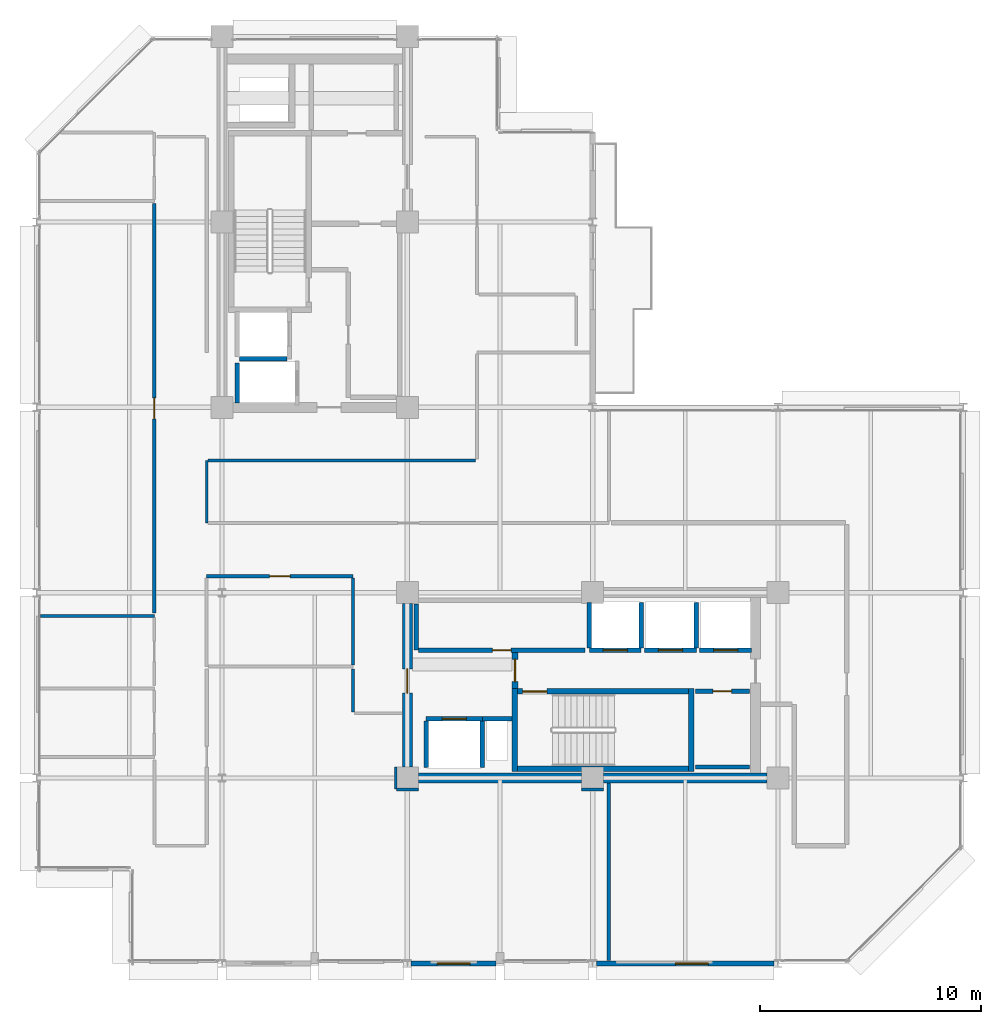
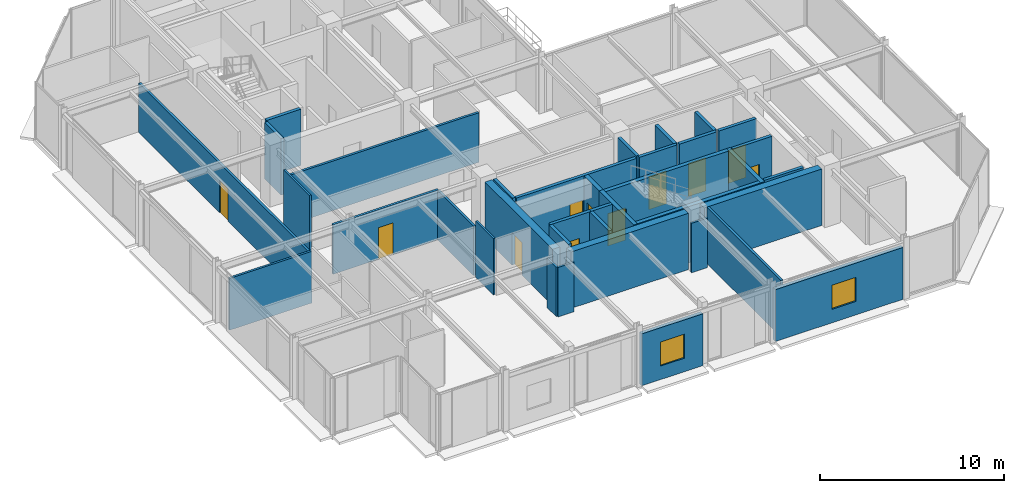
# One storey, part 20 of 26: 37 walls, 11 doors, 2 windows, 13 openings.
"""IFC4 building model written with IfcOpenShell, lengths in metres."""

import ifcopenshell
import ifcopenshell.guid

model = None  # the IFC model being written
_history = None  # IfcOwnerHistory: only IFC2X3 demands one
_inside = {}  # id of a spatial element -> (the spatial element, [elements in it])
_under = {}  # id of a project, library or spatial element -> (it, [spatial elements below it])
_declared = {}  # id of a project -> (the project, [libraries it declares])
_typed = {}  # id of a type object -> (the type object, [elements of that type])
_made_of = {}  # id of a material, layer set ... -> (it, [elements and type objects made of it])


def new_model(schema):
    """Start an empty IFC model of exactly this schema.

    Asked for "IFC4X3", IfcOpenShell would pick the latest addendum, in which some entities
    have other attributes; the version numbers below select the first issue.
    IFC2X3 requires an IfcOwnerHistory on every rooted entity: one is made here for all.
    """
    global model, _history
    if schema == "IFC4X3":
        model = ifcopenshell.file(schema_version=(4, 3, 0, 0))
    else:
        model = ifcopenshell.file(schema=schema)
    _inside.clear()
    _under.clear()
    _declared.clear()
    _typed.clear()
    _made_of.clear()
    _history = None
    if model.schema == "IFC2X3":
        org = make("IfcOrganization", Name="unknown")
        user = make(
            "IfcPersonAndOrganization",
            ThePerson=make("IfcPerson", FamilyName="unknown"),
            TheOrganization=org,
        )
        app = make(
            "IfcApplication",
            ApplicationDeveloper=org,
            Version="unknown",
            ApplicationFullName="unknown",
            ApplicationIdentifier="unknown",
        )
        _history = make(
            "IfcOwnerHistory",
            OwningUser=user,
            OwningApplication=app,
            ChangeAction="ADDED",
            CreationDate=0,
        )
    return model


def make(cls, **values):
    """One entity of the class cls with the attributes given. An attribute that is None is left unset."""
    return model.create_entity(
        cls, **{name: value for name, value in values.items() if value is not None}
    )


def rooted(cls, **values):
    """An entity with a GlobalId (a new one), such as an element, a storey or a relation."""
    return make(cls, GlobalId=ifcopenshell.guid.new(), OwnerHistory=_history, **values)


def si_unit(unit_type, name, prefix=None):
    """IfcSIUnit, for example si_unit("LENGTHUNIT", "METRE", prefix="MILLI")."""
    return make("IfcSIUnit", UnitType=unit_type, Prefix=prefix, Name=name)


def assignment(units):
    """IfcUnitAssignment: the units of a project."""
    return None if units is None else make("IfcUnitAssignment", Units=units)


def point(xyz):
    """IfcCartesianPoint."""
    return None if xyz is None else make("IfcCartesianPoint", Coordinates=xyz)


def direction(xyz):
    """IfcDirection."""
    return None if xyz is None else make("IfcDirection", DirectionRatios=xyz)


def frame(location, z_axis=None, x_axis=None):
    """IfcAxis2Placement3D, a coordinate frame: its origin and axes. An axis left out is left unset."""
    return make(
        "IfcAxis2Placement3D",
        Location=point(location),
        Axis=direction(z_axis),
        RefDirection=direction(x_axis),
    )


def frame_2d(location, x_axis=None):
    """IfcAxis2Placement2D, a coordinate frame in the plane: its origin and x axis."""
    return make(
        "IfcAxis2Placement2D", Location=point(location), RefDirection=direction(x_axis)
    )


def origin():
    """The frame at (0, 0, 0) with its axes left unset."""
    return frame((0.0, 0.0, 0.0))


def place(relative_to, where):
    """IfcLocalPlacement: puts the frame where relative to a parent placement (None: the world)."""
    return make(
        "IfcLocalPlacement", PlacementRelTo=relative_to, RelativePlacement=where
    )


def context(
    kind, dimensions, precision=None, world=None, true_north=None, identifier=None
):
    """IfcGeometricRepresentationContext, for example the 3D "Model" context."""
    return make(
        "IfcGeometricRepresentationContext",
        ContextIdentifier=identifier,
        ContextType=kind,
        CoordinateSpaceDimension=dimensions,
        Precision=precision,
        WorldCoordinateSystem=world,
        TrueNorth=true_north,
    )


def subcontext(parent, identifier, kind, view, scale=None):
    """IfcGeometricRepresentationSubContext, for example "Body" below "Model"."""
    return make(
        "IfcGeometricRepresentationSubContext",
        ContextIdentifier=identifier,
        ContextType=kind,
        ParentContext=parent,
        TargetScale=scale,
        TargetView=view,
    )


def project(units=None, contexts=None):
    """IfcProject with its units and contexts."""
    return rooted(
        "IfcProject",
        Name="project",
        RepresentationContexts=contexts,
        UnitsInContext=assignment(units),
    )


def spatial(cls, under=None, at=None, **own):
    """A site, building, storey or space (cls), placed at a placement, below another one or the project."""
    s = rooted(cls, ObjectPlacement=at, **own)
    if under is not None:
        _under.setdefault(under.id(), (under, []))[1].append(s)
    return s


def profile(cls, at=None, kind="AREA", **sizes):
    """A parametric profile (cls). Its sizes go by their IFC names, for example OverallWidth=200.0."""
    return make(cls, ProfileType=kind, Position=at, **sizes)


def rectangle(**sizes):
    """IfcRectangleProfileDef."""
    return profile("IfcRectangleProfileDef", **sizes)


def extrude(swept, where, along, depth):
    """IfcExtrudedAreaSolid: the profile swept, set in the frame where, extruded along a direction by depth."""
    return make(
        "IfcExtrudedAreaSolid",
        SweptArea=swept,
        Position=where,
        ExtrudedDirection=direction(along),
        Depth=depth,
    )


def shape(context_of_items, identifier, shape_type, items):
    """IfcShapeRepresentation: the items that make up one representation, for example the "Body"."""
    return make(
        "IfcShapeRepresentation",
        ContextOfItems=context_of_items,
        RepresentationIdentifier=identifier,
        RepresentationType=shape_type,
        Items=items,
    )


def material(Name=None, Category=None):
    """IfcMaterial."""
    return make("IfcMaterial", Name=Name, Category=Category)


def layer(
    of_material, thickness, ventilated=None, Name=None, Category=None, Priority=None
):
    """IfcMaterialLayer: one layer of a wall or slab, of a material (None: an air gap)."""
    return make(
        "IfcMaterialLayer",
        Material=of_material,
        LayerThickness=thickness,
        IsVentilated=ventilated,
        Name=Name,
        Category=Category,
        Priority=Priority,
    )


def layer_set(layers, Name=None):
    """IfcMaterialLayerSet."""
    return make("IfcMaterialLayerSet", MaterialLayers=layers, LayerSetName=Name)


def made_of(thing, what):
    """Note that an element or type object is made of a material, layer set ...; save() writes the relation."""
    if what is not None:
        _made_of.setdefault(what.id(), (what, []))[1].append(thing)
    return thing


def type_object(cls, material=None, **own):
    """A type object (cls), such as IfcWallType, which elements share."""
    return made_of(rooted(cls, **own), material)


def element(
    cls,
    number,
    at=None,
    inside=None,
    cuts=None,
    type_object=None,
    material=None,
    context=None,
    identifier="Body",
    shape_type=None,
    held_by="IfcProductDefinitionShape",
    body=None,
    shapes=None,
    **own,
):
    """One element of the class cls, such as IfcWall. Its Tag is "e" and its number.

    at: its placement. inside: the storey or other place that contains it. cuts: it is an
    opening in that element (IfcRelVoidsElement). A single representation is given by context,
    identifier, shape_type and body (its items); several are given by shapes. held_by: the class
    of the entity that holds the representations. save() writes the other relations.
    """
    e = rooted(cls, Tag="e%d" % number, ObjectPlacement=at, **own)
    if body is not None:
        shapes = [shape(context, identifier, shape_type, body)]
    if shapes is not None:
        e.Representation = make(held_by, Representations=shapes)
    if inside is not None:
        _inside.setdefault(inside.id(), (inside, []))[1].append(e)
    if cuts is not None:
        rooted(
            "IfcRelVoidsElement", RelatingBuildingElement=cuts, RelatedOpeningElement=e
        )
    if type_object is not None:
        _typed.setdefault(type_object.id(), (type_object, []))[1].append(e)
    return made_of(e, material)


def fill(opening, filler):
    """IfcRelFillsElement: the door or window that sits in an opening."""
    return rooted(
        "IfcRelFillsElement",
        RelatingOpeningElement=opening,
        RelatedBuildingElement=filler,
    )


def aggregate(whole, parts):
    """IfcRelAggregates: a whole, such as a stair, and the parts it consists of."""
    return rooted("IfcRelAggregates", RelatingObject=whole, RelatedObjects=parts)


def save(model, path):
    """Write the relations noted so far, then the file.

    IfcRelAggregates (storeys below a building ...), IfcRelContainedInSpatialStructure (elements
    in a storey), IfcRelDefinesByType, IfcRelAssociatesMaterial and IfcRelDeclares: one each for
    every whole, place, type object, material and project.
    """
    for whole, parts in _under.values():
        aggregate(whole, parts)
    for where, things in _inside.values():
        rooted(
            "IfcRelContainedInSpatialStructure",
            RelatedElements=things,
            RelatingStructure=where,
        )
    for kind, things in _typed.values():
        rooted("IfcRelDefinesByType", RelatedObjects=things, RelatingType=kind)
    for what, things in _made_of.values():
        rooted("IfcRelAssociatesMaterial", RelatedObjects=things, RelatingMaterial=what)
    for by, libraries in _declared.values():
        rooted("IfcRelDeclares", RelatingContext=by, RelatedDefinitions=libraries)
    model.write(path)


model = new_model("IFC4")

# Units and contexts
model_context = context("Model", 3, precision=1e-05, world=origin(), true_north=direction((0.0, 1.0)))
body_context = subcontext(model_context, "Body", "Model", "MODEL_VIEW")
ifc_project = project(units=[si_unit("LENGTHUNIT", "METRE"), si_unit("AREAUNIT", "SQUARE_METRE"), si_unit("VOLUMEUNIT", "CUBIC_METRE"), si_unit("PLANEANGLEUNIT", "RADIAN"), si_unit("MASSUNIT", "GRAM", prefix="KILO")], contexts=[model_context])

# Site, building, storey
site_placement = place(None, origin())
site = spatial("IfcSite", under=ifc_project, at=site_placement, CompositionType="ELEMENT")
building_placement = place(site_placement, origin())
building = spatial("IfcBuilding", under=site, at=building_placement, Name="Nerrivon Quay Data Exchange", CompositionType="ELEMENT")
storey_placement = place(building_placement, frame((0.0, 0.0, 241.10009765625)))
storey = spatial("IfcBuildingStorey", under=building, at=storey_placement, Name="L57", CompositionType="ELEMENT", Elevation=241.10009765625)

# Wall, opening, window
ifc_material_1 = material(Name="Architectural terracotta precast concrete N50 (50 MPa)", Category="masonry")
ifc_layer_1 = layer(ifc_material_1, 0.239990234375)
ifc_layer_set_1 = layer_set([ifc_layer_1], Name="Architectural terracotta precast concrete N50 (50 MPa)")
wall_type_1 = type_object("IfcWallType", Name="EW-PREC-240", PredefinedType="STANDARD", material=ifc_layer_set_1)
wall_1_placement = place(storey_placement, frame((33.425048828125, 0.0, 0.0), z_axis=(0.0, 0.0, 1.0), x_axis=(-1.0, 0.0, 0.0)))
wall_1 = element("IfcWall", 1, at=wall_1_placement, inside=storey, type_object=wall_type_1, Name="L57 Podium Precast Spandrel Wall 3", PredefinedType="STANDARD", context=body_context, shape_type="SweptSolid", body=[
    extrude(rectangle(XDim=8.050048828125, YDim=0.239990234375, at=frame_2d((4.02490234375, 0.0))), origin(), (0.0, 0.0, 1.0), 3.449951171875),
])
opening_1_placement = place(wall_1_placement, frame((2.982666015625, 0.0, 0.89990234375)))
opening_1 = element("IfcOpeningElement", 2, at=opening_1_placement, cuts=wall_1, Name="Opening WN4", PredefinedType="OPENING", context=body_context, shape_type="SweptSolid", body=[
    extrude(rectangle(XDim=1.5, YDim=1.60009765625, at=frame_2d((0.75, 0.800048828125))), frame((0.0, 0.1298828125, 0.0), z_axis=(0.0, -1.0, 0.0), x_axis=(1.0, 0.0, 0.0)), (0.0, 0.0, 1.0), 0.260009765625),
])
ifc_material_2 = material(Name="Double-glazed low-E solar control glass", Category="glass")
window_type = type_object("IfcWindowType", Name="WIN-W4-1500x1600", PartitioningType="SINGLE_PANEL", PredefinedType="WINDOW", material=ifc_material_2)
window_1_placement = place(opening_1_placement, origin())
window_1 = element("IfcWindow", 3, at=window_1_placement, inside=storey, type_object=window_type, Name="L57 Solar Facade Window 3", OverallHeight=1.60009765625, OverallWidth=1.5, PartitioningType="SINGLE_PANEL", PredefinedType="WINDOW", context=body_context, shape_type="SweptSolid", body=[
    extrude(rectangle(XDim=1.5, YDim=1.60009765625, at=frame_2d((0.75, 0.800048828125))), frame((0.0, 0.030029296875, 0.0), z_axis=(0.0, -1.0, 0.0), x_axis=(1.0, 0.0, 0.0)), (0.0, 0.0, 1.0), 0.06005859375),
])
fill(opening_1, window_1)

wall_2_placement = place(storey_placement, frame((20.824951171875, 0.0, 0.0), z_axis=(0.0, 0.0, 1.0), x_axis=(-1.0, 0.0, 0.0)))
wall_2 = element("IfcWall", 4, at=wall_2_placement, inside=storey, type_object=wall_type_1, Name="L57 Podium Precast Spandrel Wall 5", PredefinedType="STANDARD", context=body_context, shape_type="SweptSolid", body=[
    extrude(rectangle(XDim=3.849853515625, YDim=0.239990234375, at=frame_2d((1.9248046875, 0.0))), origin(), (0.0, 0.0, 1.0), 3.449951171875),
])
opening_2_placement = place(wall_2_placement, frame((1.175048828125, 0.0, 0.89990234375)))
opening_2 = element("IfcOpeningElement", 5, at=opening_2_placement, cuts=wall_2, Name="Opening WN4", PredefinedType="OPENING", context=body_context, shape_type="SweptSolid", body=[
    extrude(rectangle(XDim=1.5, YDim=1.60009765625, at=frame_2d((0.75, 0.800048828125))), frame((0.0, 0.1298828125, 0.0), z_axis=(0.0, -1.0, 0.0), x_axis=(1.0, 0.0, 0.0)), (0.0, 0.0, 1.0), 0.260009765625),
])
window_2_placement = place(opening_2_placement, origin())
window_2 = element("IfcWindow", 6, at=window_2_placement, inside=storey, type_object=window_type, Name="L57 Solar Facade Window 5", OverallHeight=1.60009765625, OverallWidth=1.5, PartitioningType="SINGLE_PANEL", PredefinedType="WINDOW", context=body_context, shape_type="SweptSolid", body=[
    extrude(rectangle(XDim=1.5, YDim=1.60009765625, at=frame_2d((0.75, 0.800048828125))), frame((0.0, 0.030029296875, 0.0), z_axis=(0.0, -1.0, 0.0), x_axis=(1.0, 0.0, 0.0)), (0.0, 0.0, 1.0), 0.06005859375),
])
fill(opening_2, window_2)

# Walls
ifc_material_3 = material(Name="Concrete N50 (50 MPa)", Category="concrete")
ifc_layer_2 = layer(ifc_material_3, 0.449951171875)
ifc_layer_set_2 = layer_set([ifc_layer_2], Name="Concrete N50 (50 MPa)")
wall_type_2 = type_object("IfcWallType", Name="WALL-CW-550", PredefinedType="SHEAR", material=ifc_layer_set_2)
wall_3_placement = place(storey_placement, frame((17.300048828125, 8.39990234375, 0.0), z_axis=(0.0, 0.0, 1.0), x_axis=(1.0, 0.0, 0.0)))
element("IfcWall", 7, at=wall_3_placement, inside=storey, type_object=wall_type_2, Name="L57 East Split-Core Shear Wall ECW-S1", PredefinedType="SHEAR", context=body_context, shape_type="SweptSolid", body=[
    extrude(rectangle(XDim=7.39990234375, YDim=0.449951171875, at=frame_2d((3.699951171875, 0.0))), origin(), (0.0, 0.0, 1.0), 3.75),
])
wall_4_placement = place(storey_placement, frame((25.699951171875, 8.39990234375, 0.0), z_axis=(0.0, 0.0, 1.0), x_axis=(1.0, 0.0, 0.0)))
element("IfcWall", 8, at=wall_4_placement, inside=storey, type_object=wall_type_2, Name="L57 East Split-Core Shear Wall ECW-S2", PredefinedType="SHEAR", context=body_context, shape_type="SweptSolid", body=[
    extrude(rectangle(XDim=7.400146484375, YDim=0.449951171875, at=frame_2d((3.7001953125, 0.0))), origin(), (0.0, 0.0, 1.0), 3.75),
])

# Wall, opening, door
wall_5_placement = place(storey_placement, frame((16.800048828125, 8.89990234375, 0.0), z_axis=(0.0, 0.0, 1.0), x_axis=(0.0, 1.0, 0.0)))
wall_5 = element("IfcWall", 9, at=wall_5_placement, inside=storey, type_object=wall_type_2, Name="L57 East Split-Core Shear Wall ECW-W1", PredefinedType="SHEAR", context=body_context, shape_type="SweptSolid", body=[
    extrude(rectangle(XDim=7.400146484375, YDim=0.449951171875, at=frame_2d((3.7001953125, 0.0))), origin(), (0.0, 0.0, 1.0), 3.75),
])
opening_3_placement = place(wall_5_placement, frame((3.35009765625, 0.0, 0.0)))
opening_3 = element("IfcOpeningElement", 10, at=opening_3_placement, cuts=wall_5, Name="Opening FD-120", PredefinedType="OPENING", context=body_context, shape_type="SweptSolid", body=[
    extrude(rectangle(XDim=1.10009765625, YDim=2.14990234375, at=frame_2d((0.550048828125, 1.074951171875))), frame((0.0, 0.23486328125, 0.0), z_axis=(0.0, -1.0, 0.0), x_axis=(1.0, 0.0, 0.0)), (0.0, 0.0, 1.0), 0.469970703125),
])
ifc_material_4 = material(Name="Powder-coated galvanized steel sheet", Category="steel")
door_type_1 = type_object("IfcDoorType", Name="DR-FD120-1100", OperationType="NOTDEFINED", PredefinedType="DOOR", material=ifc_material_4)
door_1_placement = place(opening_3_placement, origin())
door_1 = element("IfcDoor", 11, at=door_1_placement, inside=storey, type_object=door_type_1, Name="L57 East Core Lobby Fire Door", OperationType="SINGLE_SWING_RIGHT", OverallHeight=2.14990234375, OverallWidth=1.10009765625, PredefinedType="DOOR", context=body_context, shape_type="SweptSolid", body=[
    extrude(rectangle(XDim=1.10009765625, YDim=2.14990234375, at=frame_2d((0.550048828125, 1.074951171875))), frame((0.0, 0.02490234375, 0.0), z_axis=(0.0, -1.0, 0.0), x_axis=(1.0, 0.0, 0.0)), (0.0, 0.0, 1.0), 0.050048828125),
])
fill(opening_3, door_1)

# Walls
ifc_material_5 = material(Name="Gypsum plasterboard on cold-formed framing", Category="gypsum")
ifc_layer_3 = layer(ifc_material_5, 0.199951171875)
ifc_layer_set_3 = layer_set([ifc_layer_3], Name="Gypsum plasterboard on cold-formed framing")
wall_type_3 = type_object("IfcWallType", Name="WALL-FW-200", PredefinedType="PARTITIONING", material=ifc_layer_set_3)
wall_6_placement = place(storey_placement, frame((20.199951171875, 11.080078125, 0.0), z_axis=(0.0, 0.0, 1.0), x_axis=(1.0, 0.0, 0.0)))
element("IfcWall", 12, at=wall_6_placement, inside=storey, type_object=wall_type_3, Name="L57 East Core MEP Riser Shaft Wall N", PredefinedType="PARTITIONING", context=body_context, shape_type="SweptSolid", body=[
    extrude(rectangle(XDim=1.35009765625, YDim=0.199951171875, at=frame_2d((0.675048828125, 0.0))), origin(), (0.0, 0.0, 1.0), 3.75),
])
wall_7_placement = place(storey_placement, frame((9.199951171875, 27.39990234375, 0.0), z_axis=(0.0, 0.0, 1.0), x_axis=(1.0, 0.0, 0.0)))
element("IfcWall", 13, at=wall_7_placement, inside=storey, type_object=wall_type_3, Name="L57 Lift Shaft Wall FFL-1 SOUTH", PredefinedType="PARTITIONING", context=body_context, shape_type="SweptSolid", body=[
    extrude(rectangle(XDim=2.150146484375, YDim=0.199951171875, at=frame_2d((1.0751953125, 0.0))), origin(), (0.0, 0.0, 1.0), 3.75),
])
wall_8_placement = place(storey_placement, frame((9.10009765625, 25.39990234375, 0.0), z_axis=(0.0, 0.0, 1.0), x_axis=(0.0, 1.0, 0.0)))
element("IfcWall", 14, at=wall_8_placement, inside=storey, type_object=wall_type_3, Name="L57 Lift Shaft Wall SVL-1 WEST", PredefinedType="PARTITIONING", context=body_context, shape_type="SweptSolid", body=[
    extrude(rectangle(XDim=1.800048828125, YDim=0.199951171875, at=frame_2d((0.89990234375, 0.0))), origin(), (0.0, 0.0, 1.0), 3.75),
])

# Wall, opening, door
wall_9_placement = place(storey_placement, frame((17.64990234375, 11.080078125, 0.0), z_axis=(0.0, 0.0, 1.0), x_axis=(1.0, 0.0, 0.0)))
wall_9 = element("IfcWall", 15, at=wall_9_placement, inside=storey, type_object=wall_type_3, Name="L57 Lift Front Wall FFL-2", PredefinedType="PARTITIONING", context=body_context, shape_type="SweptSolid", body=[
    extrude(rectangle(XDim=2.550048828125, YDim=0.199951171875, at=frame_2d((1.27490234375, 0.0))), origin(), (0.0, 0.0, 1.0), 3.75),
])
opening_4_placement = place(wall_9_placement, frame((0.72509765625, 0.0, 0.0)))
opening_4 = element("IfcOpeningElement", 16, at=opening_4_placement, cuts=wall_9, Name="Opening LD-120", PredefinedType="OPENING", context=body_context, shape_type="SweptSolid", body=[
    extrude(rectangle(XDim=1.10009765625, YDim=2.199951171875, at=frame_2d((0.550048828125, 1.10009765625))), frame((0.0, 0.10986328125, 0.0), z_axis=(0.0, -1.0, 0.0), x_axis=(1.0, 0.0, 0.0)), (0.0, 0.0, 1.0), 0.219970703125),
])
door_type_2 = type_object("IfcDoorType", Name="DR-LIFT-LD120", OperationType="DOUBLE_DOOR_SLIDING", PredefinedType="DOOR", material=ifc_material_4)
door_2_placement = place(opening_4_placement, origin())
door_2 = element("IfcDoor", 17, at=door_2_placement, inside=storey, type_object=door_type_2, Name="L57 Lift Landing Sliding Door FFL-2", OperationType="DOUBLE_DOOR_SLIDING", OverallHeight=2.199951171875, OverallWidth=1.10009765625, PredefinedType="DOOR", context=body_context, shape_type="SweptSolid", body=[
    extrude(rectangle(XDim=1.10009765625, YDim=2.199951171875, at=frame_2d((0.550048828125, 1.10009765625))), frame((0.0, 0.02490234375, 0.0), z_axis=(0.0, -1.0, 0.0), x_axis=(1.0, 0.0, 0.0)), (0.0, 0.0, 1.0), 0.050048828125),
])
fill(opening_4, door_2)

# Walls
for number, where, z_axis, x_axis, name in (
    (18, (20.199951171875, 8.8798828125, 0.0), (0.0, 0.0, 1.0), (0.0, 1.0, 0.0), "L57 Lift Shaft Wall FFL-2 EAST"),
    (19, (17.64990234375, 8.8798828125, 0.0), (0.0, 0.0, 1.0), (0.0, 1.0, 0.0), "L57 Lift Shaft Wall FFL-2 WEST"),
):
    element("IfcWall", number, at=place(storey_placement, frame(where, z_axis=z_axis, x_axis=x_axis)), inside=storey, type_object=wall_type_3, Name=name, PredefinedType="PARTITIONING", context=body_context, shape_type="SweptSolid", body=[
        extrude(rectangle(XDim=2.10009765625, YDim=0.199951171875, at=frame_2d((1.050048828125, 0.0))), origin(), (0.0, 0.0, 1.0), 3.75),
    ])

# Wall, opening, door
wall_10_placement = place(storey_placement, frame((25.050048828125, 14.199951171875, 0.0), z_axis=(0.0, 0.0, 1.0), x_axis=(1.0, 0.0, 0.0)))
wall_10 = element("IfcWall", 20, at=wall_10_placement, inside=storey, type_object=wall_type_3, Name="L57 Lift Front Wall PL7", PredefinedType="PARTITIONING", context=body_context, shape_type="SweptSolid", body=[
    extrude(rectangle(XDim=2.349853515625, YDim=0.199951171875, at=frame_2d((1.1748046875, 0.0))), origin(), (0.0, 0.0, 1.0), 3.75),
])
opening_5_placement = place(wall_10_placement, frame((0.625, 0.0, 0.0)))
opening_5 = element("IfcOpeningElement", 21, at=opening_5_placement, cuts=wall_10, Name="Opening LD-120", PredefinedType="OPENING", context=body_context, shape_type="SweptSolid", body=[
    extrude(rectangle(XDim=1.10009765625, YDim=2.199951171875, at=frame_2d((0.550048828125, 1.10009765625))), frame((0.0, 0.10986328125, 0.0), z_axis=(0.0, -1.0, 0.0), x_axis=(1.0, 0.0, 0.0)), (0.0, 0.0, 1.0), 0.219970703125),
])
door_3_placement = place(opening_5_placement, origin())
door_3 = element("IfcDoor", 22, at=door_3_placement, inside=storey, type_object=door_type_2, Name="L57 Lift Landing Sliding Door PL7", OperationType="DOUBLE_DOOR_SLIDING", OverallHeight=2.199951171875, OverallWidth=1.10009765625, PredefinedType="DOOR", context=body_context, shape_type="SweptSolid", body=[
    extrude(rectangle(XDim=1.10009765625, YDim=2.199951171875, at=frame_2d((0.550048828125, 1.10009765625))), frame((0.0, 0.02490234375, 0.0), z_axis=(0.0, -1.0, 0.0), x_axis=(1.0, 0.0, 0.0)), (0.0, 0.0, 1.0), 0.050048828125),
])
fill(opening_5, door_3)

# Walls
for number, where, z_axis, x_axis, name in (
    (23, (27.39990234375, 14.300048828125, 0.0), (0.0, 0.0, 1.0), (0.0, 1.0, 0.0), "L57 Lift Shaft Wall PL7 EAST"),
    (24, (25.050048828125, 14.300048828125, 0.0), (0.0, 0.0, 1.0), (0.0, 1.0, 0.0), "L57 Lift Shaft Wall PL7 WEST"),
):
    element("IfcWall", number, at=place(storey_placement, frame(where, z_axis=z_axis, x_axis=x_axis)), inside=storey, type_object=wall_type_3, Name=name, PredefinedType="PARTITIONING", context=body_context, shape_type="SweptSolid", body=[
        extrude(rectangle(XDim=2.050048828125, YDim=0.199951171875, at=frame_2d((1.02490234375, 0.0))), origin(), (0.0, 0.0, 1.0), 3.75),
    ])

# Wall, opening, door
wall_11_placement = place(storey_placement, frame((27.550048828125, 14.199951171875, 0.0), z_axis=(0.0, 0.0, 1.0), x_axis=(1.0, 0.0, 0.0)))
wall_11 = element("IfcWall", 25, at=wall_11_placement, inside=storey, type_object=wall_type_3, Name="L57 Lift Front Wall PL8", PredefinedType="PARTITIONING", context=body_context, shape_type="SweptSolid", body=[
    extrude(rectangle(XDim=2.349853515625, YDim=0.199951171875, at=frame_2d((1.1748046875, 0.0))), origin(), (0.0, 0.0, 1.0), 3.75),
])
opening_6_placement = place(wall_11_placement, frame((0.625, 0.0, 0.0)))
opening_6 = element("IfcOpeningElement", 26, at=opening_6_placement, cuts=wall_11, Name="Opening LD-120", PredefinedType="OPENING", context=body_context, shape_type="SweptSolid", body=[
    extrude(rectangle(XDim=1.10009765625, YDim=2.199951171875, at=frame_2d((0.550048828125, 1.10009765625))), frame((0.0, 0.10986328125, 0.0), z_axis=(0.0, -1.0, 0.0), x_axis=(1.0, 0.0, 0.0)), (0.0, 0.0, 1.0), 0.219970703125),
])
door_4_placement = place(opening_6_placement, origin())
door_4 = element("IfcDoor", 27, at=door_4_placement, inside=storey, type_object=door_type_2, Name="L57 Lift Landing Sliding Door PL8", OperationType="DOUBLE_DOOR_SLIDING", OverallHeight=2.199951171875, OverallWidth=1.10009765625, PredefinedType="DOOR", context=body_context, shape_type="SweptSolid", body=[
    extrude(rectangle(XDim=1.10009765625, YDim=2.199951171875, at=frame_2d((0.550048828125, 1.10009765625))), frame((0.0, 0.02490234375, 0.0), z_axis=(0.0, -1.0, 0.0), x_axis=(1.0, 0.0, 0.0)), (0.0, 0.0, 1.0), 0.050048828125),
])
fill(opening_6, door_4)

# Wall
wall_12_placement = place(storey_placement, frame((29.89990234375, 14.300048828125, 0.0), z_axis=(0.0, 0.0, 1.0), x_axis=(0.0, 1.0, 0.0)))
element("IfcWall", 28, at=wall_12_placement, inside=storey, type_object=wall_type_3, Name="L57 Lift Shaft Wall PL8 EAST", PredefinedType="PARTITIONING", context=body_context, shape_type="SweptSolid", body=[
    extrude(rectangle(XDim=2.050048828125, YDim=0.199951171875, at=frame_2d((1.02490234375, 0.0))), origin(), (0.0, 0.0, 1.0), 3.75),
])

# Wall, opening, door
wall_13_placement = place(storey_placement, frame((30.050048828125, 14.199951171875, 0.0), z_axis=(0.0, 0.0, 1.0), x_axis=(1.0, 0.0, 0.0)))
wall_13 = element("IfcWall", 29, at=wall_13_placement, inside=storey, type_object=wall_type_3, Name="L57 Lift Front Wall PL9", PredefinedType="PARTITIONING", context=body_context, shape_type="SweptSolid", body=[
    extrude(rectangle(XDim=2.349853515625, YDim=0.199951171875, at=frame_2d((1.1748046875, 0.0))), origin(), (0.0, 0.0, 1.0), 3.75),
])
opening_7_placement = place(wall_13_placement, frame((0.625, 0.0, 0.0)))
opening_7 = element("IfcOpeningElement", 30, at=opening_7_placement, cuts=wall_13, Name="Opening LD-120", PredefinedType="OPENING", context=body_context, shape_type="SweptSolid", body=[
    extrude(rectangle(XDim=1.10009765625, YDim=2.199951171875, at=frame_2d((0.550048828125, 1.10009765625))), frame((0.0, 0.10986328125, 0.0), z_axis=(0.0, -1.0, 0.0), x_axis=(1.0, 0.0, 0.0)), (0.0, 0.0, 1.0), 0.219970703125),
])
door_5_placement = place(opening_7_placement, origin())
door_5 = element("IfcDoor", 31, at=door_5_placement, inside=storey, type_object=door_type_2, Name="L57 Lift Landing Sliding Door PL9", OperationType="DOUBLE_DOOR_SLIDING", OverallHeight=2.199951171875, OverallWidth=1.10009765625, PredefinedType="DOOR", context=body_context, shape_type="SweptSolid", body=[
    extrude(rectangle(XDim=1.10009765625, YDim=2.199951171875, at=frame_2d((0.550048828125, 1.10009765625))), frame((0.0, 0.02490234375, 0.0), z_axis=(0.0, -1.0, 0.0), x_axis=(1.0, 0.0, 0.0)), (0.0, 0.0, 1.0), 0.050048828125),
])
fill(opening_7, door_5)

# Wall
wall_14_placement = place(storey_placement, frame((17.199951171875, 16.294921875, 0.0), z_axis=(0.0, 0.0, 1.0), x_axis=(0.0, -1.0, 0.0)))
element("IfcWall", 32, at=wall_14_placement, inside=storey, type_object=wall_type_3, Name="L57 Partition High-Zone Telemetry Equipment Store", PredefinedType="PARTITIONING", context=body_context, shape_type="SweptSolid", body=[
    extrude(rectangle(XDim=2.094970703125, YDim=0.199951171875, at=frame_2d((1.04736328125, 0.0))), origin(), (0.0, 0.0, 1.0), 3.75),
])

# Wall, opening, door
wall_15_placement = place(storey_placement, frame((17.303955078125, 14.199951171875, 0.0), z_axis=(0.0, 0.0, 1.0), x_axis=(1.0, 0.0, 0.0)))
wall_15 = element("IfcWall", 33, at=wall_15_placement, inside=storey, type_object=wall_type_3, Name="L57 Partition High-Zone Telemetry Equipment Store", PredefinedType="PARTITIONING", context=body_context, shape_type="SweptSolid", body=[
    extrude(rectangle(XDim=7.546142578125, YDim=0.199951171875, at=frame_2d((3.77294921875, 0.0))), origin(), (0.0, 0.0, 1.0), 3.75),
])
opening_8_placement = place(wall_15_placement, frame((3.347900390625, 0.0, 0.0)))
opening_8 = element("IfcOpeningElement", 34, at=opening_8_placement, cuts=wall_15, Name="Opening FD-60S", PredefinedType="OPENING", context=body_context, shape_type="SweptSolid", body=[
    extrude(rectangle(XDim=0.85009765625, YDim=2.14990234375, at=frame_2d((0.425048828125, 1.074951171875))), frame((0.0, 0.10986328125, 0.0), z_axis=(0.0, -1.0, 0.0), x_axis=(1.0, 0.0, 0.0)), (0.0, 0.0, 1.0), 0.219970703125),
])
ifc_material_6 = material(Name="Engineered hardwood timber", Category="wood")
door_type_3 = type_object("IfcDoorType", Name="DR-FD60-850", OperationType="NOTDEFINED", PredefinedType="DOOR", material=ifc_material_6)
door_6_placement = place(opening_8_placement, origin())
door_6 = element("IfcDoor", 35, at=door_6_placement, inside=storey, type_object=door_type_3, Name="L57 Door High-Zone Telemetry Equipment Store", OperationType="SINGLE_SWING_LEFT", OverallHeight=2.14990234375, OverallWidth=0.85009765625, PredefinedType="DOOR", context=body_context, shape_type="SweptSolid", body=[
    extrude(rectangle(XDim=0.85009765625, YDim=2.14990234375, at=frame_2d((0.425048828125, 1.074951171875))), frame((0.0, 0.02490234375, 0.0), z_axis=(0.0, -1.0, 0.0), x_axis=(1.0, 0.0, 0.0)), (0.0, 0.0, 1.0), 0.050048828125),
])
fill(opening_8, door_6)

wall_16_placement = place(storey_placement, frame((32.300048828125, 12.330078125, 0.0), z_axis=(0.0, 0.0, 1.0), x_axis=(-1.0, 0.0, 0.0)))
wall_16 = element("IfcWall", 36, at=wall_16_placement, inside=storey, type_object=wall_type_3, Name="L57 Partition East Telecom Closet", PredefinedType="PARTITIONING", context=body_context, shape_type="SweptSolid", body=[
    extrude(rectangle(XDim=2.449951171875, YDim=0.199951171875, at=frame_2d((1.22509765625, 0.0))), origin(), (0.0, 0.0, 1.0), 3.75),
])
opening_9_placement = place(wall_16_placement, frame((0.800048828125, 0.0, 0.0)))
opening_9 = element("IfcOpeningElement", 37, at=opening_9_placement, cuts=wall_16, Name="Opening FD-60S", PredefinedType="OPENING", context=body_context, shape_type="SweptSolid", body=[
    extrude(rectangle(XDim=0.85009765625, YDim=2.14990234375, at=frame_2d((0.425048828125, 1.074951171875))), frame((0.0, 0.10986328125, 0.0), z_axis=(0.0, -1.0, 0.0), x_axis=(1.0, 0.0, 0.0)), (0.0, 0.0, 1.0), 0.219970703125),
])
door_7_placement = place(opening_9_placement, origin())
door_7 = element("IfcDoor", 38, at=door_7_placement, inside=storey, type_object=door_type_3, Name="L57 Door East Telecom Closet", OperationType="SINGLE_SWING_RIGHT", OverallHeight=2.14990234375, OverallWidth=0.85009765625, PredefinedType="DOOR", context=body_context, shape_type="SweptSolid", body=[
    extrude(rectangle(XDim=0.85009765625, YDim=2.14990234375, at=frame_2d((0.425048828125, 1.074951171875))), frame((0.0, 0.02490234375, 0.0), z_axis=(0.0, -1.0, 0.0), x_axis=(1.0, 0.0, 0.0)), (0.0, 0.0, 1.0), 0.050048828125),
])
fill(opening_9, door_7)

# Walls
wall_17_placement = place(storey_placement, frame((29.85009765625, 8.89990234375, 0.0), z_axis=(0.0, 0.0, 1.0), x_axis=(1.0, 0.0, 0.0)))
element("IfcWall", 39, at=wall_17_placement, inside=storey, type_object=wall_type_3, Name="L57 Partition East Telecom Closet", PredefinedType="PARTITIONING", context=body_context, shape_type="SweptSolid", body=[
    extrude(rectangle(XDim=2.449951171875, YDim=0.199951171875, at=frame_2d((1.22509765625, 0.0))), origin(), (0.0, 0.0, 1.0), 3.75),
])
ifc_layer_4 = layer(ifc_material_5, 0.1201171875)
ifc_layer_set_4 = layer_set([ifc_layer_4], Name="Gypsum plasterboard on cold-formed framing")
wall_type_4 = type_object("IfcWallType", Name="WALL-PT-120", PredefinedType="PARTITIONING", material=ifc_layer_set_4)
wall_18_placement = place(storey_placement, frame((7.7099609375, 22.7900390625, 0.0), z_axis=(0.0, 0.0, 1.0), x_axis=(0.0, -1.0, 0.0)))
element("IfcWall", 40, at=wall_18_placement, inside=storey, type_object=wall_type_4, Name="L57 Partition Staff Pantry", PredefinedType="PARTITIONING", context=body_context, shape_type="SweptSolid", body=[
    extrude(rectangle(XDim=2.830078125, YDim=0.1201171875, at=frame_2d((1.4150390625, 0.0))), origin(), (0.0, 0.0, 1.0), 3.75),
])
for number, where, z_axis, x_axis, name in (
    (41, (25.699951171875, 7.8798828125, 0.0), (0.0, 0.0, 1.0), (-0.999999528702, 0.000970873329, 0.0), "L57 Partition Technical Library"),
    (42, (17.305908203125, 7.880859375, 0.0), (0.0, 0.0, 1.0), (-0.999999528702, -0.000970873329, 0.0), "L57 Partition Technical Library"),
):
    element("IfcWall", number, at=place(storey_placement, frame(where, z_axis=z_axis, x_axis=x_axis)), inside=storey, type_object=wall_type_4, Name=name, PredefinedType="PARTITIONING", context=body_context, shape_type="SweptSolid", body=[
        extrude(rectangle(XDim=1.005859375, YDim=0.1201171875, at=frame_2d((0.5029296875, 0.0))), origin(), (0.0, 0.0, 1.0), 3.2958984375),
    ])
wall_19_placement = place(storey_placement, frame((16.280029296875, 7.89990234375, 0.0), z_axis=(0.0, 0.0, 1.0), x_axis=(0.000970873329, 0.999999528702, 0.0)))
element("IfcWall", 43, at=wall_19_placement, inside=storey, type_object=wall_type_4, Name="L57 Partition Technical Library", PredefinedType="PARTITIONING", context=body_context, shape_type="SweptSolid", body=[
    extrude(rectangle(XDim=1.005859375, YDim=0.1201171875, at=frame_2d((0.5029296875, 0.0))), origin(), (0.0, 0.0, 1.0), 3.289794921875),
])
wall_20_placement = place(storey_placement, frame((14.340087890625, 11.39990234375, 0.0), z_axis=(0.0, 0.0, 1.0), x_axis=(0.0, 1.0, 0.0)))
element("IfcWall", 44, at=wall_20_placement, inside=storey, type_object=wall_type_4, Name="L57 Partition Technical Library", PredefinedType="PARTITIONING", context=body_context, shape_type="SweptSolid", body=[
    extrude(rectangle(XDim=1.93212890625, YDim=0.1201171875, at=frame_2d((0.966064453125, 0.0))), origin(), (0.0, 0.0, 1.0), 3.75),
])
ifc_layer_5 = layer(ifc_material_5, 0.135009765625)
ifc_layer_set_5 = layer_set([ifc_layer_5], Name="Gypsum plasterboard on cold-formed framing")
wall_type_5 = type_object("IfcWallType", Name="WALL-PT-135", PredefinedType="PARTITIONING", material=ifc_layer_set_5)
wall_21_placement = place(storey_placement, frame((5.340087890625, 15.75, 0.0), z_axis=(0.0, 0.0, 1.0), x_axis=(-1.0, 0.0, 0.0)))
element("IfcWall", 45, at=wall_21_placement, inside=storey, type_object=wall_type_5, Name="L57 Partition Public Washrooms", PredefinedType="PARTITIONING", context=body_context, shape_type="SweptSolid", body=[
    extrude(rectangle(XDim=5.171142578125, YDim=0.135009765625, at=frame_2d((2.58544921875, 0.0))), origin(), (0.0, 0.0, 1.0), 3.44287109375),
])
wall_22_placement = place(storey_placement, frame((14.340087890625, 13.531005859375, 0.0), z_axis=(0.0, 0.0, 1.0), x_axis=(0.0, 1.0, 0.0)))
element("IfcWall", 46, at=wall_22_placement, inside=storey, type_object=wall_type_5, Name="L57 Partition Public Washrooms", PredefinedType="PARTITIONING", context=body_context, shape_type="SweptSolid", body=[
    extrude(rectangle(XDim=3.929931640625, YDim=0.135009765625, at=frame_2d((1.96484375, 0.0))), origin(), (0.0, 0.0, 1.0), 3.289794921875),
])

# Wall, opening, door
ifc_layer_6 = layer(ifc_material_5, 0.14990234375)
ifc_layer_set_6 = layer_set([ifc_layer_6], Name="Gypsum plasterboard on cold-formed framing")
wall_type_6 = type_object("IfcWallType", Name="WALL-PT-150", PredefinedType="PARTITIONING", material=ifc_layer_set_6)
wall_23_placement = place(storey_placement, frame((14.340087890625, 17.5400390625, 0.0), z_axis=(0.0, 0.0, 1.0), x_axis=(-1.0, 0.0, 0.0)))
wall_23 = element("IfcWall", 47, at=wall_23_placement, inside=storey, type_object=wall_type_6, Name="L57 Partition Public Washrooms", PredefinedType="PARTITIONING", context=body_context, shape_type="SweptSolid", body=[
    extrude(rectangle(XDim=6.630126953125, YDim=0.14990234375, at=frame_2d((3.31494140625, 0.0))), origin(), (0.0, 0.0, 1.0), 3.2958984375),
])
opening_10_placement = place(wall_23_placement, frame((2.85498046875, 0.0, 0.0)))
opening_10 = element("IfcOpeningElement", 48, at=opening_10_placement, cuts=wall_23, Name="Opening D-WC", PredefinedType="OPENING", context=body_context, shape_type="SweptSolid", body=[
    extrude(rectangle(XDim=0.919921875, YDim=2.10009765625, at=frame_2d((0.4599609375, 1.050048828125))), frame((0.0, 0.0849609375, 0.0), z_axis=(0.0, -1.0, 0.0), x_axis=(1.0, 0.0, 0.0)), (0.0, 0.0, 1.0), 0.169921875),
])
door_type_4 = type_object("IfcDoorType", Name="DR-WC-920", OperationType="NOTDEFINED", PredefinedType="DOOR", material=ifc_material_6)
door_8_placement = place(opening_10_placement, origin())
door_8 = element("IfcDoor", 49, at=door_8_placement, inside=storey, type_object=door_type_4, Name="L57 Door Public Washrooms", OperationType="SINGLE_SWING_RIGHT", OverallHeight=2.10009765625, OverallWidth=0.919921875, PredefinedType="DOOR", context=body_context, shape_type="SweptSolid", body=[
    extrude(rectangle(XDim=0.919921875, YDim=2.10009765625, at=frame_2d((0.4599609375, 1.050048828125))), frame((0.0, 0.02490234375, 0.0), z_axis=(0.0, -1.0, 0.0), x_axis=(1.0, 0.0, 0.0)), (0.0, 0.0, 1.0), 0.050048828125),
])
fill(opening_10, door_8)

# Wall
wall_24_placement = place(storey_placement, frame((19.89990234375, 22.7900390625, 0.0), z_axis=(0.0, 0.0, 1.0), x_axis=(-1.0, 0.0, 0.0)))
element("IfcWall", 50, at=wall_24_placement, inside=storey, type_object=wall_type_6, Name="L57 Partition Staff Pantry", PredefinedType="PARTITIONING", context=body_context, shape_type="SweptSolid", body=[
    extrude(rectangle(XDim=12.1259765625, YDim=0.14990234375, at=frame_2d((6.06298828125, 0.0))), origin(), (0.0, 0.0, 1.0), 3.2958984375),
])

# Wall, opening, door
wall_25_placement = place(storey_placement, frame((5.340087890625, 15.8701171875, 0.0), z_axis=(0.0, 0.0, 1.0), x_axis=(0.0, 1.0, 0.0)))
wall_25 = element("IfcWall", 51, at=wall_25_placement, inside=storey, type_object=wall_type_6, Name="L57 Partition Peering Day Lounge", PredefinedType="PARTITIONING", context=body_context, shape_type="SweptSolid", body=[
    extrude(rectangle(XDim=18.559814453125, YDim=0.14990234375, at=frame_2d((9.27978515625, 0.0))), origin(), (0.0, 0.0, 1.0), 3.289794921875),
])
opening_11_placement = place(wall_25_placement, frame((8.804931640625, 0.0, 0.0)))
opening_11 = element("IfcOpeningElement", 52, at=opening_11_placement, cuts=wall_25, Name="Opening D-01", PredefinedType="OPENING", context=body_context, shape_type="SweptSolid", body=[
    extrude(rectangle(XDim=0.949951171875, YDim=2.14990234375, at=frame_2d((0.47509765625, 1.074951171875))), frame((0.0, 0.0849609375, 0.0), z_axis=(0.0, -1.0, 0.0), x_axis=(1.0, 0.0, 0.0)), (0.0, 0.0, 1.0), 0.169921875),
])
door_type_5 = type_object("IfcDoorType", Name="DR-INT-950", OperationType="NOTDEFINED", PredefinedType="DOOR", material=ifc_material_6)
door_9_placement = place(opening_11_placement, origin())
door_9 = element("IfcDoor", 53, at=door_9_placement, inside=storey, type_object=door_type_5, Name="L57 Door Peering Day Lounge", OperationType="SINGLE_SWING_LEFT", OverallHeight=2.14990234375, OverallWidth=0.949951171875, PredefinedType="DOOR", context=body_context, shape_type="SweptSolid", body=[
    extrude(rectangle(XDim=0.949951171875, YDim=2.14990234375, at=frame_2d((0.47509765625, 1.074951171875))), frame((0.0, 0.02490234375, 0.0), z_axis=(0.0, -1.0, 0.0), x_axis=(1.0, 0.0, 0.0)), (0.0, 0.0, 1.0), 0.050048828125),
])
fill(opening_11, door_9)

# Walls
wall_26_placement = place(storey_placement, frame((25.9296875, 0.1240234375, 0.0), z_axis=(0.0, 0.0, 1.0), x_axis=(0.0, 1.0, 0.0)))
element("IfcWall", 54, at=wall_26_placement, inside=storey, type_object=wall_type_6, Name="L57 Partition Technical Library", PredefinedType="PARTITIONING", context=body_context, shape_type="SweptSolid", body=[
    extrude(rectangle(XDim=8.046875, YDim=0.14990234375, at=frame_2d((4.0234375, 0.0))), origin(), (0.0, 0.0, 1.0), 3.75),
])
ifc_layer_7 = layer(ifc_material_3, 0.25)
ifc_layer_set_7 = layer_set([ifc_layer_7], Name="Concrete N50 (50 MPa)")
wall_type_7 = type_object("IfcWallType", Name="WALL-SW-250", PredefinedType="SHEAR", material=ifc_layer_set_7)
for number, where, z_axis, x_axis, name in (
    (55, (21.675048828125, 8.699951171875, 0.0), (0.0, 0.0, 1.0), (0.0, 1.0, 0.0), "L57 ST02 Structural Stair Core Wall NEAR"),
    (56, (29.675048828125, 8.699951171875, 0.0), (0.0, 0.0, 1.0), (0.0, 1.0, 0.0), "L57 ST02 Structural Stair Core Wall FAR"),
):
    element("IfcWall", number, at=place(storey_placement, frame(where, z_axis=z_axis, x_axis=x_axis)), inside=storey, type_object=wall_type_7, Name=name, PredefinedType="SHEAR", context=body_context, shape_type="SweptSolid", body=[
        extrude(rectangle(XDim=3.75, YDim=0.25, at=frame_2d((1.875, 0.0))), origin(), (0.0, 0.0, 1.0), 3.75),
    ])
wall_27_placement = place(storey_placement, frame((21.800048828125, 8.824951171875, 0.0), z_axis=(0.0, 0.0, 1.0), x_axis=(1.0, 0.0, 0.0)))
element("IfcWall", 57, at=wall_27_placement, inside=storey, type_object=wall_type_7, Name="L57 ST02 Structural Stair Core Wall LEFT", PredefinedType="SHEAR", context=body_context, shape_type="SweptSolid", body=[
    extrude(rectangle(XDim=7.75, YDim=0.25, at=frame_2d((3.875, 0.0))), origin(), (0.0, 0.0, 1.0), 3.75),
])

# Wall, opening, door
wall_28_placement = place(storey_placement, frame((21.800048828125, 12.324951171875, 0.0), z_axis=(0.0, 0.0, 1.0), x_axis=(1.0, 0.0, 0.0)))
wall_28 = element("IfcWall", 58, at=wall_28_placement, inside=storey, type_object=wall_type_7, Name="L57 ST02 Structural Stair Core Wall RIGHT", PredefinedType="SHEAR", context=body_context, shape_type="SweptSolid", body=[
    extrude(rectangle(XDim=7.75, YDim=0.25, at=frame_2d((3.875, 0.0))), origin(), (0.0, 0.0, 1.0), 3.75),
])
opening_12_placement = place(wall_28_placement, frame((0.219970703125, 0.0, 0.0)))
opening_12 = element("IfcOpeningElement", 59, at=opening_12_placement, cuts=wall_28, Name="Opening FD-120", PredefinedType="OPENING", context=body_context, shape_type="SweptSolid", body=[
    extrude(rectangle(XDim=1.10009765625, YDim=2.14990234375, at=frame_2d((0.550048828125, 1.074951171875))), frame((0.0, 0.135009765625, 0.0), z_axis=(0.0, -1.0, 0.0), x_axis=(1.0, 0.0, 0.0)), (0.0, 0.0, 1.0), 0.27001953125),
])
door_10_placement = place(opening_12_placement, origin())
door_10 = element("IfcDoor", 60, at=door_10_placement, inside=storey, type_object=door_type_1, Name="L57 Protected Stair Door ST02", OperationType="SINGLE_SWING_RIGHT", OverallHeight=2.14990234375, OverallWidth=1.10009765625, PredefinedType="DOOR", context=body_context, shape_type="SweptSolid", body=[
    extrude(rectangle(XDim=1.10009765625, YDim=2.14990234375, at=frame_2d((0.550048828125, 1.074951171875))), frame((0.0, 0.02490234375, 0.0), z_axis=(0.0, -1.0, 0.0), x_axis=(1.0, 0.0, 0.0)), (0.0, 0.0, 1.0), 0.050048828125),
])
fill(opening_12, door_10)

wall_29_placement = place(storey_placement, frame((21.679931640625, 12.449951171875, 0.0), z_axis=(0.0, 0.0, 1.0), x_axis=(0.0, 1.0, 0.0)))
wall_29 = element("IfcWall", 61, at=wall_29_placement, inside=storey, type_object=wall_type_7, Name="L57 East Firefighting Lobby Wall", PredefinedType="SHEAR", context=body_context, shape_type="SweptSolid", body=[
    extrude(rectangle(XDim=1.650146484375, YDim=0.25, at=frame_2d((0.8251953125, 0.0))), origin(), (0.0, 0.0, 1.0), 3.75),
])
opening_13_placement = place(wall_29_placement, frame((0.324951171875, 0.0, 0.0)))
opening_13 = element("IfcOpeningElement", 62, at=opening_13_placement, cuts=wall_29, Name="Opening FD-60", PredefinedType="OPENING", context=body_context, shape_type="SweptSolid", body=[
    extrude(rectangle(XDim=1.0, YDim=2.14990234375, at=frame_2d((0.5, 1.074951171875))), frame((0.0, 0.135009765625, 0.0), z_axis=(0.0, -1.0, 0.0), x_axis=(1.0, 0.0, 0.0)), (0.0, 0.0, 1.0), 0.27001953125),
])
door_type_6 = type_object("IfcDoorType", Name="DR-FD60-1000", OperationType="NOTDEFINED", PredefinedType="DOOR", material=ifc_material_6)
door_11_placement = place(opening_13_placement, origin())
door_11 = element("IfcDoor", 63, at=door_11_placement, inside=storey, type_object=door_type_6, Name="L57 East Firefighting Lobby Fire Door", OperationType="SINGLE_SWING_RIGHT", OverallHeight=2.14990234375, OverallWidth=1.0, PredefinedType="DOOR", context=body_context, shape_type="SweptSolid", body=[
    extrude(rectangle(XDim=1.0, YDim=2.14990234375, at=frame_2d((0.5, 1.074951171875))), frame((0.0, 0.02490234375, 0.0), z_axis=(0.0, -1.0, 0.0), x_axis=(1.0, 0.0, 0.0)), (0.0, 0.0, 1.0), 0.050048828125),
])
fill(opening_13, door_11)

save(model, "model.ifc")
